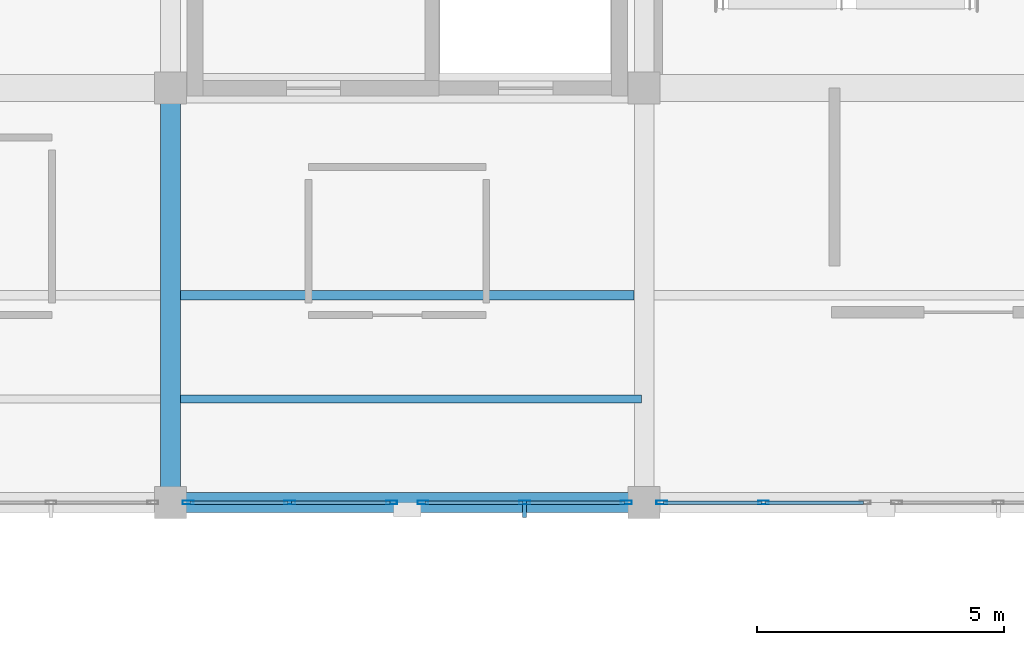
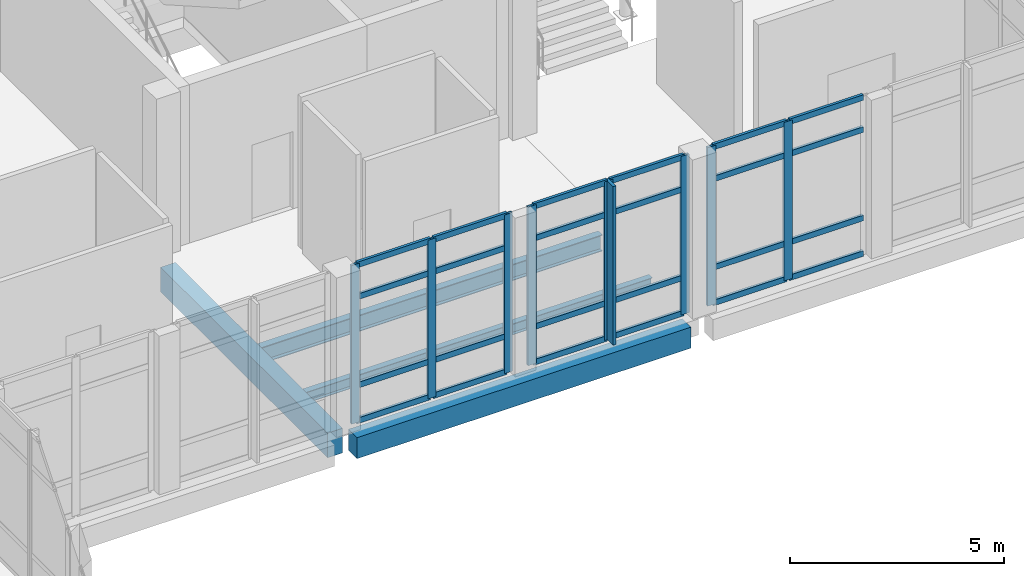
# One storey, part 26 of 102: 33 members, 4 beams, 3 elements without a shape of their own.
"""IFC4 building model written with IfcOpenShell, lengths in metres."""

from ifc_helpers import new_model, si_unit, direction, frame, origin, origin_2d, place, context, subcontext, project, spatial, rectangle, hollow_rectangle, i_section, extrude, material, layer, layer_set, material_profile, profile_set, type_object, element, aggregate, save


model = new_model("IFC4")

# Units and contexts
model_context = context("Model", 3, precision=1e-05, world=origin(), true_north=direction((0.0, 1.0)))
body_context = subcontext(model_context, "Body", "Model", "MODEL_VIEW")
ifc_project = project(units=[si_unit("LENGTHUNIT", "METRE"), si_unit("AREAUNIT", "SQUARE_METRE"), si_unit("VOLUMEUNIT", "CUBIC_METRE"), si_unit("PLANEANGLEUNIT", "RADIAN"), si_unit("MASSUNIT", "GRAM", prefix="KILO")], contexts=[model_context])

# Site, building, storey
site_placement = place(None, origin())
site = spatial("IfcSite", under=ifc_project, at=site_placement, CompositionType="ELEMENT")
building_placement = place(site_placement, origin())
building = spatial("IfcBuilding", under=site, at=building_placement, Name="Lornevale Opera House", CompositionType="ELEMENT")
storey_placement = place(building_placement, frame((0.0, 0.0, 5.39990234375)))
storey = spatial("IfcBuildingStorey", under=building, at=storey_placement, Name="L02", CompositionType="ELEMENT", Elevation=5.39990234375)

# Beams
ifc_material_1 = material(Name="Concrete 35 MPa (CSA A23.1 N)", Category="concrete")
ifc_material_profile_1 = material_profile(ifc_material_1, rectangle(XDim=0.39990234375, YDim=0.699951171875, at=origin_2d()), Name="RC400x700")
ifc_profile_set_1 = profile_set([ifc_material_profile_1], Name="Concrete 35 MPa (CSA A23.1 N)")
beam_type_1 = type_object("IfcBeamType", Name="Concrete Floor Beam 400x700", PredefinedType="USERDEFINED", material=ifc_profile_set_1)
beam_1_placement = place(storey_placement, frame((48.0, 17.10009765625, -0.64990234375), z_axis=(0.0, 1.0, 0.0), x_axis=(-1.0, 0.0, 0.0)))
element("IfcBeam", 1, at=beam_1_placement, inside=storey, type_object=beam_type_1, Name="Concrete Floor Beam 400x700 1870", ObjectType="GIRDER", PredefinedType="USERDEFINED", context=body_context, shape_type="SweptSolid", body=[
    extrude(rectangle(XDim=0.39990234375, YDim=0.699951171875, at=origin_2d()), origin(), (0.0, 0.0, 1.0), 7.7998046875),
])
ifc_material_profile_2 = material_profile(ifc_material_1, rectangle(XDim=0.39990234375, YDim=0.60009765625, at=origin_2d()), Name="RC400x600")
ifc_profile_set_2 = profile_set([ifc_material_profile_2], Name="Concrete 35 MPa (CSA A23.1 N)")
beam_type_2 = type_object("IfcBeamType", Name="Concrete Spandrel Beam 400x600", PredefinedType="SPANDREL", material=ifc_profile_set_2)
beam_2_placement = place(storey_placement, frame((48.300048828125, 16.800048828125, -0.599853515625), z_axis=(1.0, 0.0, 0.0), x_axis=(0.0, 1.0, 0.0)))
element("IfcBeam", 2, at=beam_2_placement, inside=storey, type_object=beam_type_2, Name="Concrete Spandrel Beam 400x600 1686", PredefinedType="SPANDREL", context=body_context, shape_type="SweptSolid", body=[
    extrude(rectangle(XDim=0.39990234375, YDim=0.60009765625, at=origin_2d()), origin(), (0.0, 0.0, 1.0), 9.0),
])

# Curtain wall, members
ifc_material_2 = material(Name="Anodized Oxide-Green Aluminium Framing", Category="aluminium")
ifc_layer = layer(ifc_material_2, 0.219970703125)
ifc_layer_set = layer_set([ifc_layer], Name="Anodized Oxide-Green Aluminium Framing")
curtain_wall_type = type_object("IfcCurtainWallType", Name="Winter-Garden Curtain Wall M1900", PredefinedType="NOTDEFINED", material=ifc_layer_set)
curtain_wall_1_placement = place(storey_placement, origin())
curtain_wall_1 = element("IfcCurtainWall", 3, at=curtain_wall_1_placement, inside=storey, type_object=curtain_wall_type, Name="Winter-Garden Curtain Wall M1900 CW-065", PredefinedType="NOTDEFINED")
ifc_material_profile_3 = material_profile(ifc_material_2, hollow_rectangle(XDim=0.074951171875, YDim=0.219970703125, WallThickness=0.0048828125, at=origin_2d()), Name="ALU75x220x5")
ifc_profile_set_3 = profile_set([ifc_material_profile_3], Name="Anodized Oxide-Green Aluminium Framing")
member_type_1 = type_object("IfcMemberType", Name="Curtain Wall Mullion 75x220", PredefinedType="MULLION", material=ifc_profile_set_3)
member_1_placement = place(storey_placement, frame((57.241455078125, 16.800048828125, 0.0), z_axis=(0.0, 0.0, 1.0), x_axis=(0.0, -1.0, 0.0)))
member_1 = element("IfcMember", 4, at=member_1_placement, type_object=member_type_1, Name="Curtain Wall Mullion 75x220 CW1289", PredefinedType="MULLION", context=body_context, shape_type="SweptSolid", body=[
    extrude(hollow_rectangle(XDim=0.074951171875, YDim=0.219970703125, WallThickness=0.0048828125, at=origin_2d()), origin(), (0.0, 0.0, 1.0), 4.52001953125),
])
member_2_placement = place(storey_placement, frame((55.179443359375, 16.800048828125, 0.0), z_axis=(0.0, 0.0, 1.0), x_axis=(0.0, -1.0, 0.0)))
member_2 = element("IfcMember", 5, at=member_2_placement, type_object=member_type_1, Name="Curtain Wall Mullion 75x220 CW1290", PredefinedType="MULLION", context=body_context, shape_type="SweptSolid", body=[
    extrude(hollow_rectangle(XDim=0.074951171875, YDim=0.219970703125, WallThickness=0.0048828125, at=origin_2d()), origin(), (0.0, 0.0, 1.0), 4.52001953125),
])
member_3_placement = place(storey_placement, frame((53.117431640625, 16.800048828125, 0.0), z_axis=(0.0, 0.0, 1.0), x_axis=(0.0, -1.0, 0.0)))
member_3 = element("IfcMember", 6, at=member_3_placement, type_object=member_type_1, Name="Curtain Wall Mullion 75x220 CW1291", PredefinedType="MULLION", context=body_context, shape_type="SweptSolid", body=[
    extrude(hollow_rectangle(XDim=0.074951171875, YDim=0.219970703125, WallThickness=0.0048828125, at=origin_2d()), origin(), (0.0, 0.0, 1.0), 4.52001953125),
])

curtain_wall_2_placement = place(storey_placement, origin())
curtain_wall_2 = element("IfcCurtainWall", 7, at=curtain_wall_2_placement, inside=storey, type_object=curtain_wall_type, Name="Winter-Garden Curtain Wall M1900 CW-066", PredefinedType="NOTDEFINED")
member_4_placement = place(storey_placement, frame((52.482421875, 16.800048828125, 0.0), z_axis=(0.0, 0.0, 1.0), x_axis=(0.0, -1.0, 0.0)))
member_4 = element("IfcMember", 8, at=member_4_placement, type_object=member_type_1, Name="Curtain Wall Mullion 75x220 CW1306", PredefinedType="MULLION", context=body_context, shape_type="SweptSolid", body=[
    extrude(hollow_rectangle(XDim=0.074951171875, YDim=0.219970703125, WallThickness=0.0048828125, at=origin_2d()), origin(), (0.0, 0.0, 1.0), 4.52001953125),
])
member_5_placement = place(storey_placement, frame((50.42041015625, 16.800048828125, 0.0), z_axis=(0.0, 0.0, 1.0), x_axis=(0.0, -1.0, 0.0)))
member_5 = element("IfcMember", 9, at=member_5_placement, type_object=member_type_1, Name="Curtain Wall Mullion 75x220 CW1307", PredefinedType="MULLION", context=body_context, shape_type="SweptSolid", body=[
    extrude(hollow_rectangle(XDim=0.074951171875, YDim=0.219970703125, WallThickness=0.0048828125, at=origin_2d()), origin(), (0.0, 0.0, 1.0), 4.52001953125),
])
member_6_placement = place(storey_placement, frame((48.3583984375, 16.800048828125, 0.0), z_axis=(0.0, 0.0, 1.0), x_axis=(0.0, -1.0, 0.0)))
member_6 = element("IfcMember", 10, at=member_6_placement, type_object=member_type_1, Name="Curtain Wall Mullion 75x220 CW1308", PredefinedType="MULLION", context=body_context, shape_type="SweptSolid", body=[
    extrude(hollow_rectangle(XDim=0.074951171875, YDim=0.219970703125, WallThickness=0.0048828125, at=origin_2d()), origin(), (0.0, 0.0, 1.0), 4.52001953125),
])

curtain_wall_3_placement = place(storey_placement, origin())
curtain_wall_3 = element("IfcCurtainWall", 11, at=curtain_wall_3_placement, inside=storey, type_object=curtain_wall_type, Name="Winter-Garden Curtain Wall M1900 CW-068", PredefinedType="NOTDEFINED")
member_7_placement = place(storey_placement, frame((60.0205078125, 16.800048828125, 0.0), z_axis=(0.0, 0.0, 1.0), x_axis=(0.0, -1.0, 0.0)))
member_7 = element("IfcMember", 12, at=member_7_placement, type_object=member_type_1, Name="Curtain Wall Mullion 75x220 CW1341", PredefinedType="MULLION", context=body_context, shape_type="SweptSolid", body=[
    extrude(hollow_rectangle(XDim=0.074951171875, YDim=0.219970703125, WallThickness=0.0048828125, at=origin_2d()), origin(), (0.0, 0.0, 1.0), 4.52001953125),
])
member_8_placement = place(storey_placement, frame((57.95849609375, 16.800048828125, 0.0), z_axis=(0.0, 0.0, 1.0), x_axis=(0.0, -1.0, 0.0)))
member_8 = element("IfcMember", 13, at=member_8_placement, type_object=member_type_1, Name="Curtain Wall Mullion 75x220 CW1342", PredefinedType="MULLION", context=body_context, shape_type="SweptSolid", body=[
    extrude(hollow_rectangle(XDim=0.074951171875, YDim=0.219970703125, WallThickness=0.0048828125, at=origin_2d()), origin(), (0.0, 0.0, 1.0), 4.52001953125),
])

# Member
ifc_material_profile_4 = material_profile(ifc_material_2, hollow_rectangle(XDim=0.074951171875, YDim=0.159912109375, WallThickness=0.0048828125, at=origin_2d()), Name="ALU75x160x5")
ifc_profile_set_4 = profile_set([ifc_material_profile_4], Name="Anodized Oxide-Green Aluminium Framing")
member_type_2 = type_object("IfcMemberType", Name="Curtain Wall Transom 75x160", PredefinedType="USERDEFINED", material=ifc_profile_set_4)
member_9_placement = place(storey_placement, frame((57.2041015625, 16.800048828125, 0.03759765625), z_axis=(-1.0, 0.0, 0.0), x_axis=(0.0, -1.0, 0.0)))
member_9 = element("IfcMember", 14, at=member_9_placement, type_object=member_type_2, Name="Curtain Wall Transom 75x160 CW1292", ObjectType="TRANSOM", PredefinedType="USERDEFINED", context=body_context, shape_type="SweptSolid", body=[
    extrude(hollow_rectangle(XDim=0.074951171875, YDim=0.159912109375, WallThickness=0.0048828125, at=origin_2d()), origin(), (0.0, 0.0, 1.0), 1.987060546875),
])

member_10_placement = place(storey_placement, frame((57.2041015625, 16.800048828125, 1.050048828125), z_axis=(-1.0, 0.0, 0.0), x_axis=(0.0, -1.0, 0.0)))
member_10 = element("IfcMember", 15, at=member_10_placement, type_object=member_type_2, Name="Curtain Wall Transom 75x160 CW1293", ObjectType="TRANSOM", PredefinedType="USERDEFINED", context=body_context, shape_type="SweptSolid", body=[
    extrude(hollow_rectangle(XDim=0.074951171875, YDim=0.159912109375, WallThickness=0.0048828125, at=origin_2d()), origin(), (0.0, 0.0, 1.0), 1.987060546875),
])

member_11_placement = place(storey_placement, frame((57.2041015625, 16.800048828125, 3.570068359375), z_axis=(-1.0, 0.0, 0.0), x_axis=(0.0, -1.0, 0.0)))
member_11 = element("IfcMember", 16, at=member_11_placement, type_object=member_type_2, Name="Curtain Wall Transom 75x160 CW1294", ObjectType="TRANSOM", PredefinedType="USERDEFINED", context=body_context, shape_type="SweptSolid", body=[
    extrude(hollow_rectangle(XDim=0.074951171875, YDim=0.159912109375, WallThickness=0.0048828125, at=origin_2d()), origin(), (0.0, 0.0, 1.0), 1.987060546875),
])

member_12_placement = place(storey_placement, frame((57.2041015625, 16.800048828125, 4.482666015625), z_axis=(-1.0, 0.0, 0.0), x_axis=(0.0, -1.0, 0.0)))
member_12 = element("IfcMember", 17, at=member_12_placement, type_object=member_type_2, Name="Curtain Wall Transom 75x160 CW1295", ObjectType="TRANSOM", PredefinedType="USERDEFINED", context=body_context, shape_type="SweptSolid", body=[
    extrude(hollow_rectangle(XDim=0.074951171875, YDim=0.159912109375, WallThickness=0.0048828125, at=origin_2d()), origin(), (0.0, 0.0, 1.0), 1.987060546875),
])

member_13_placement = place(storey_placement, frame((55.14208984375, 16.800048828125, 0.03759765625), z_axis=(-1.0, 0.0, 0.0), x_axis=(0.0, -1.0, 0.0)))
member_13 = element("IfcMember", 18, at=member_13_placement, type_object=member_type_2, Name="Curtain Wall Transom 75x160 CW1299", ObjectType="TRANSOM", PredefinedType="USERDEFINED", context=body_context, shape_type="SweptSolid", body=[
    extrude(hollow_rectangle(XDim=0.074951171875, YDim=0.159912109375, WallThickness=0.0048828125, at=origin_2d()), origin(), (0.0, 0.0, 1.0), 1.987060546875),
])

member_14_placement = place(storey_placement, frame((55.14208984375, 16.800048828125, 1.050048828125), z_axis=(-1.0, 0.0, 0.0), x_axis=(0.0, -1.0, 0.0)))
member_14 = element("IfcMember", 19, at=member_14_placement, type_object=member_type_2, Name="Curtain Wall Transom 75x160 CW1300", ObjectType="TRANSOM", PredefinedType="USERDEFINED", context=body_context, shape_type="SweptSolid", body=[
    extrude(hollow_rectangle(XDim=0.074951171875, YDim=0.159912109375, WallThickness=0.0048828125, at=origin_2d()), origin(), (0.0, 0.0, 1.0), 1.987060546875),
])

member_15_placement = place(storey_placement, frame((55.14208984375, 16.800048828125, 3.570068359375), z_axis=(-1.0, 0.0, 0.0), x_axis=(0.0, -1.0, 0.0)))
member_15 = element("IfcMember", 20, at=member_15_placement, type_object=member_type_2, Name="Curtain Wall Transom 75x160 CW1301", ObjectType="TRANSOM", PredefinedType="USERDEFINED", context=body_context, shape_type="SweptSolid", body=[
    extrude(hollow_rectangle(XDim=0.074951171875, YDim=0.159912109375, WallThickness=0.0048828125, at=origin_2d()), origin(), (0.0, 0.0, 1.0), 1.987060546875),
])

member_16_placement = place(storey_placement, frame((55.14208984375, 16.800048828125, 4.482666015625), z_axis=(-1.0, 0.0, 0.0), x_axis=(0.0, -1.0, 0.0)))
member_16 = element("IfcMember", 21, at=member_16_placement, type_object=member_type_2, Name="Curtain Wall Transom 75x160 CW1302", ObjectType="TRANSOM", PredefinedType="USERDEFINED", context=body_context, shape_type="SweptSolid", body=[
    extrude(hollow_rectangle(XDim=0.074951171875, YDim=0.159912109375, WallThickness=0.0048828125, at=origin_2d()), origin(), (0.0, 0.0, 1.0), 1.987060546875),
])

member_17_placement = place(storey_placement, frame((52.445068359375, 16.800048828125, 0.03759765625), z_axis=(-1.0, 0.0, 0.0), x_axis=(0.0, -1.0, 0.0)))
member_17 = element("IfcMember", 22, at=member_17_placement, type_object=member_type_2, Name="Curtain Wall Transom 75x160 CW1309", ObjectType="TRANSOM", PredefinedType="USERDEFINED", context=body_context, shape_type="SweptSolid", body=[
    extrude(hollow_rectangle(XDim=0.074951171875, YDim=0.159912109375, WallThickness=0.0048828125, at=origin_2d()), origin(), (0.0, 0.0, 1.0), 1.987060546875),
])

member_18_placement = place(storey_placement, frame((52.445068359375, 16.800048828125, 1.050048828125), z_axis=(-1.0, 0.0, 0.0), x_axis=(0.0, -1.0, 0.0)))
member_18 = element("IfcMember", 23, at=member_18_placement, type_object=member_type_2, Name="Curtain Wall Transom 75x160 CW1310", ObjectType="TRANSOM", PredefinedType="USERDEFINED", context=body_context, shape_type="SweptSolid", body=[
    extrude(hollow_rectangle(XDim=0.074951171875, YDim=0.159912109375, WallThickness=0.0048828125, at=origin_2d()), origin(), (0.0, 0.0, 1.0), 1.987060546875),
])

member_19_placement = place(storey_placement, frame((52.445068359375, 16.800048828125, 3.570068359375), z_axis=(-1.0, 0.0, 0.0), x_axis=(0.0, -1.0, 0.0)))
member_19 = element("IfcMember", 24, at=member_19_placement, type_object=member_type_2, Name="Curtain Wall Transom 75x160 CW1311", ObjectType="TRANSOM", PredefinedType="USERDEFINED", context=body_context, shape_type="SweptSolid", body=[
    extrude(hollow_rectangle(XDim=0.074951171875, YDim=0.159912109375, WallThickness=0.0048828125, at=origin_2d()), origin(), (0.0, 0.0, 1.0), 1.987060546875),
])

member_20_placement = place(storey_placement, frame((52.445068359375, 16.800048828125, 4.482666015625), z_axis=(-1.0, 0.0, 0.0), x_axis=(0.0, -1.0, 0.0)))
member_20 = element("IfcMember", 25, at=member_20_placement, type_object=member_type_2, Name="Curtain Wall Transom 75x160 CW1312", ObjectType="TRANSOM", PredefinedType="USERDEFINED", context=body_context, shape_type="SweptSolid", body=[
    extrude(hollow_rectangle(XDim=0.074951171875, YDim=0.159912109375, WallThickness=0.0048828125, at=origin_2d()), origin(), (0.0, 0.0, 1.0), 1.987060546875),
])

member_21_placement = place(storey_placement, frame((50.383056640625, 16.800048828125, 0.03759765625), z_axis=(-1.0, 0.0, 0.0), x_axis=(0.0, -1.0, 0.0)))
member_21 = element("IfcMember", 26, at=member_21_placement, type_object=member_type_2, Name="Curtain Wall Transom 75x160 CW1316", ObjectType="TRANSOM", PredefinedType="USERDEFINED", context=body_context, shape_type="SweptSolid", body=[
    extrude(hollow_rectangle(XDim=0.074951171875, YDim=0.159912109375, WallThickness=0.0048828125, at=origin_2d()), origin(), (0.0, 0.0, 1.0), 1.987060546875),
])

member_22_placement = place(storey_placement, frame((50.383056640625, 16.800048828125, 1.050048828125), z_axis=(-1.0, 0.0, 0.0), x_axis=(0.0, -1.0, 0.0)))
member_22 = element("IfcMember", 27, at=member_22_placement, type_object=member_type_2, Name="Curtain Wall Transom 75x160 CW1317", ObjectType="TRANSOM", PredefinedType="USERDEFINED", context=body_context, shape_type="SweptSolid", body=[
    extrude(hollow_rectangle(XDim=0.074951171875, YDim=0.159912109375, WallThickness=0.0048828125, at=origin_2d()), origin(), (0.0, 0.0, 1.0), 1.987060546875),
])

member_23_placement = place(storey_placement, frame((50.383056640625, 16.800048828125, 3.570068359375), z_axis=(-1.0, 0.0, 0.0), x_axis=(0.0, -1.0, 0.0)))
member_23 = element("IfcMember", 28, at=member_23_placement, type_object=member_type_2, Name="Curtain Wall Transom 75x160 CW1318", ObjectType="TRANSOM", PredefinedType="USERDEFINED", context=body_context, shape_type="SweptSolid", body=[
    extrude(hollow_rectangle(XDim=0.074951171875, YDim=0.159912109375, WallThickness=0.0048828125, at=origin_2d()), origin(), (0.0, 0.0, 1.0), 1.987060546875),
])

member_24_placement = place(storey_placement, frame((50.383056640625, 16.800048828125, 4.482666015625), z_axis=(-1.0, 0.0, 0.0), x_axis=(0.0, -1.0, 0.0)))
member_24 = element("IfcMember", 29, at=member_24_placement, type_object=member_type_2, Name="Curtain Wall Transom 75x160 CW1319", ObjectType="TRANSOM", PredefinedType="USERDEFINED", context=body_context, shape_type="SweptSolid", body=[
    extrude(hollow_rectangle(XDim=0.074951171875, YDim=0.159912109375, WallThickness=0.0048828125, at=origin_2d()), origin(), (0.0, 0.0, 1.0), 1.987060546875),
])

aggregate(curtain_wall_2, [member_4, member_5, member_6, member_17, member_18, member_19, member_20, member_21, member_22, member_23, member_24])

member_25_placement = place(storey_placement, frame((62.044921875, 16.800048828125, 0.03759765625), z_axis=(-1.0, 0.0, 0.0), x_axis=(0.0, -1.0, 0.0)))
member_25 = element("IfcMember", 30, at=member_25_placement, type_object=member_type_2, Name="Curtain Wall Transom 75x160 CW1343", ObjectType="TRANSOM", PredefinedType="USERDEFINED", context=body_context, shape_type="SweptSolid", body=[
    extrude(hollow_rectangle(XDim=0.074951171875, YDim=0.159912109375, WallThickness=0.0048828125, at=origin_2d()), origin(), (0.0, 0.0, 1.0), 1.98681640625),
])

member_26_placement = place(storey_placement, frame((62.044921875, 16.800048828125, 1.050048828125), z_axis=(-1.0, 0.0, 0.0), x_axis=(0.0, -1.0, 0.0)))
member_26 = element("IfcMember", 31, at=member_26_placement, type_object=member_type_2, Name="Curtain Wall Transom 75x160 CW1344", ObjectType="TRANSOM", PredefinedType="USERDEFINED", context=body_context, shape_type="SweptSolid", body=[
    extrude(hollow_rectangle(XDim=0.074951171875, YDim=0.159912109375, WallThickness=0.0048828125, at=origin_2d()), origin(), (0.0, 0.0, 1.0), 1.98681640625),
])

member_27_placement = place(storey_placement, frame((62.044921875, 16.800048828125, 3.570068359375), z_axis=(-1.0, 0.0, 0.0), x_axis=(0.0, -1.0, 0.0)))
member_27 = element("IfcMember", 32, at=member_27_placement, type_object=member_type_2, Name="Curtain Wall Transom 75x160 CW1345", ObjectType="TRANSOM", PredefinedType="USERDEFINED", context=body_context, shape_type="SweptSolid", body=[
    extrude(hollow_rectangle(XDim=0.074951171875, YDim=0.159912109375, WallThickness=0.0048828125, at=origin_2d()), origin(), (0.0, 0.0, 1.0), 1.98681640625),
])

member_28_placement = place(storey_placement, frame((62.044921875, 16.800048828125, 4.482666015625), z_axis=(-1.0, 0.0, 0.0), x_axis=(0.0, -1.0, 0.0)))
member_28 = element("IfcMember", 33, at=member_28_placement, type_object=member_type_2, Name="Curtain Wall Transom 75x160 CW1346", ObjectType="TRANSOM", PredefinedType="USERDEFINED", context=body_context, shape_type="SweptSolid", body=[
    extrude(hollow_rectangle(XDim=0.074951171875, YDim=0.159912109375, WallThickness=0.0048828125, at=origin_2d()), origin(), (0.0, 0.0, 1.0), 1.98681640625),
])

member_29_placement = place(storey_placement, frame((59.98291015625, 16.800048828125, 0.03759765625), z_axis=(-1.0, 0.0, 0.0), x_axis=(0.0, -1.0, 0.0)))
member_29 = element("IfcMember", 34, at=member_29_placement, type_object=member_type_2, Name="Curtain Wall Transom 75x160 CW1350", ObjectType="TRANSOM", PredefinedType="USERDEFINED", context=body_context, shape_type="SweptSolid", body=[
    extrude(hollow_rectangle(XDim=0.074951171875, YDim=0.159912109375, WallThickness=0.0048828125, at=origin_2d()), origin(), (0.0, 0.0, 1.0), 1.98681640625),
])

member_30_placement = place(storey_placement, frame((59.98291015625, 16.800048828125, 1.050048828125), z_axis=(-1.0, 0.0, 0.0), x_axis=(0.0, -1.0, 0.0)))
member_30 = element("IfcMember", 35, at=member_30_placement, type_object=member_type_2, Name="Curtain Wall Transom 75x160 CW1351", ObjectType="TRANSOM", PredefinedType="USERDEFINED", context=body_context, shape_type="SweptSolid", body=[
    extrude(hollow_rectangle(XDim=0.074951171875, YDim=0.159912109375, WallThickness=0.0048828125, at=origin_2d()), origin(), (0.0, 0.0, 1.0), 1.98681640625),
])

member_31_placement = place(storey_placement, frame((59.98291015625, 16.800048828125, 3.570068359375), z_axis=(-1.0, 0.0, 0.0), x_axis=(0.0, -1.0, 0.0)))
member_31 = element("IfcMember", 36, at=member_31_placement, type_object=member_type_2, Name="Curtain Wall Transom 75x160 CW1352", ObjectType="TRANSOM", PredefinedType="USERDEFINED", context=body_context, shape_type="SweptSolid", body=[
    extrude(hollow_rectangle(XDim=0.074951171875, YDim=0.159912109375, WallThickness=0.0048828125, at=origin_2d()), origin(), (0.0, 0.0, 1.0), 1.98681640625),
])

member_32_placement = place(storey_placement, frame((59.98291015625, 16.800048828125, 4.482666015625), z_axis=(-1.0, 0.0, 0.0), x_axis=(0.0, -1.0, 0.0)))
member_32 = element("IfcMember", 37, at=member_32_placement, type_object=member_type_2, Name="Curtain Wall Transom 75x160 CW1353", ObjectType="TRANSOM", PredefinedType="USERDEFINED", context=body_context, shape_type="SweptSolid", body=[
    extrude(hollow_rectangle(XDim=0.074951171875, YDim=0.159912109375, WallThickness=0.0048828125, at=origin_2d()), origin(), (0.0, 0.0, 1.0), 1.98681640625),
])

aggregate(curtain_wall_3, [member_7, member_8, member_25, member_26, member_27, member_28, member_29, member_30, member_31, member_32])

# Beam
ifc_material_3 = material(Name="Structural Steel CSA G40.21 Grade 350W (350 MPa)", Category="steel")
ifc_material_profile_5 = material_profile(ifc_material_3, i_section(OverallWidth=0.166015625, OverallDepth=0.31298828125, WebThickness=0.006591796875, FlangeThickness=0.01123046875, at=origin_2d()), Name="W310x45")
ifc_profile_set_5 = profile_set([ifc_material_profile_5], Name="Structural Steel CSA G40.21 Grade 350W (350 MPa)")
beam_type_3 = type_object("IfcBeamType", Name="Gallery Secondary Joist W310x45", PredefinedType="JOIST", material=ifc_profile_set_5)
beam_3_placement = place(storey_placement, frame((48.199951171875, 18.89990234375, -0.47998046875), z_axis=(1.0, 0.0, 0.0), x_axis=(0.0, 1.0, 0.0)))
element("IfcBeam", 38, at=beam_3_placement, inside=storey, type_object=beam_type_3, Name="Gallery Secondary Joist W310x45 3036", PredefinedType="JOIST", context=body_context, shape_type="SweptSolid", body=[
    extrude(i_section(OverallWidth=0.166015625, OverallDepth=0.31298828125, WebThickness=0.006591796875, FlangeThickness=0.01123046875, at=origin_2d()), origin(), (0.0, 0.0, 1.0), 9.35009765625),
])

# Member
ifc_material_4 = material(Name="Architectural Bronze Solar Louvre Alloy", Category="metal")
ifc_material_profile_6 = material_profile(ifc_material_4, rectangle(XDim=0.080078125, YDim=0.360107421875, at=origin_2d()), Name="FIN80x360")
ifc_profile_set_6 = profile_set([ifc_material_profile_6], Name="Architectural Bronze Solar Louvre Alloy")
member_type_3 = type_object("IfcMemberType", Name="Solar Shading Fin 80x360", PredefinedType="USERDEFINED", material=ifc_profile_set_6)
member_33_placement = place(storey_placement, frame((55.179443359375, 16.674072265625, 0.0), z_axis=(0.0, 0.0, 1.0), x_axis=(-1.0, 0.0, 0.0)))
member_33 = element("IfcMember", 39, at=member_33_placement, type_object=member_type_3, Name="Solar Shading Fin 80x360 FIN0026", ObjectType="SOLAR FIN", PredefinedType="USERDEFINED", context=body_context, shape_type="SweptSolid", body=[
    extrude(rectangle(XDim=0.080078125, YDim=0.360107421875, at=origin_2d()), origin(), (0.0, 0.0, 1.0), 4.52001953125),
])

aggregate(curtain_wall_1, [member_1, member_2, member_3, member_9, member_10, member_11, member_12, member_13, member_14, member_15, member_16, member_33])

# Beam
ifc_material_profile_7 = material_profile(ifc_material_3, i_section(OverallWidth=0.19189453125, OverallDepth=0.462890625, WebThickness=0.010498046875, FlangeThickness=0.017578125, at=origin_2d()), Name="W460x89")
ifc_profile_set_7 = profile_set([ifc_material_profile_7], Name="Structural Steel CSA G40.21 Grade 350W (350 MPa)")
beam_type_4 = type_object("IfcBeamType", Name="Steel Floor Joist W460x89", PredefinedType="JOIST", material=ifc_profile_set_7)
beam_4_placement = place(storey_placement, frame((48.199951171875, 21.0, -0.54638671875), z_axis=(1.0, 0.0, 0.0), x_axis=(0.0, 1.0, 0.0)))
element("IfcBeam", 40, at=beam_4_placement, inside=storey, type_object=beam_type_4, Name="Steel Floor Joist W460x89 2013", PredefinedType="JOIST", context=body_context, shape_type="SweptSolid", body=[
    extrude(i_section(OverallWidth=0.19189453125, OverallDepth=0.462890625, WebThickness=0.010498046875, FlangeThickness=0.017578125, at=origin_2d()), origin(), (0.0, 0.0, 1.0), 9.199951171875),
])

save(model, "model.ifc")
